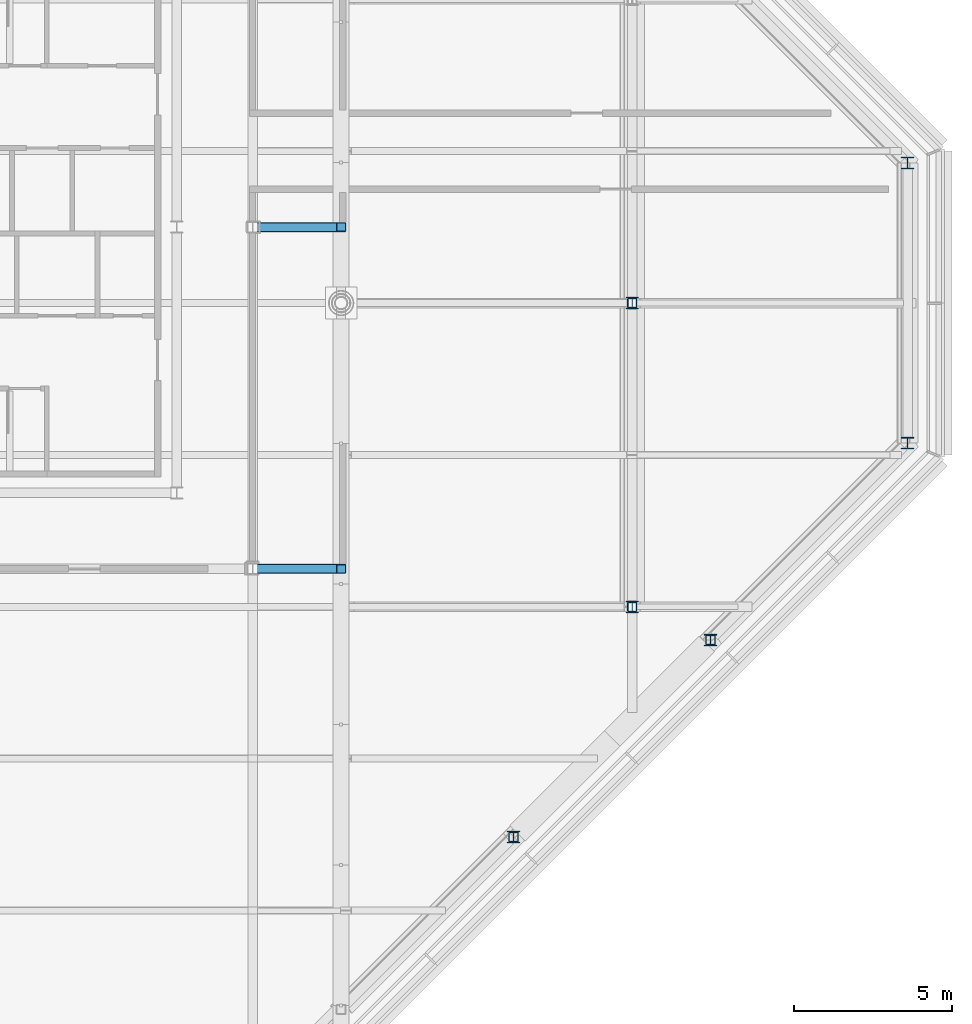
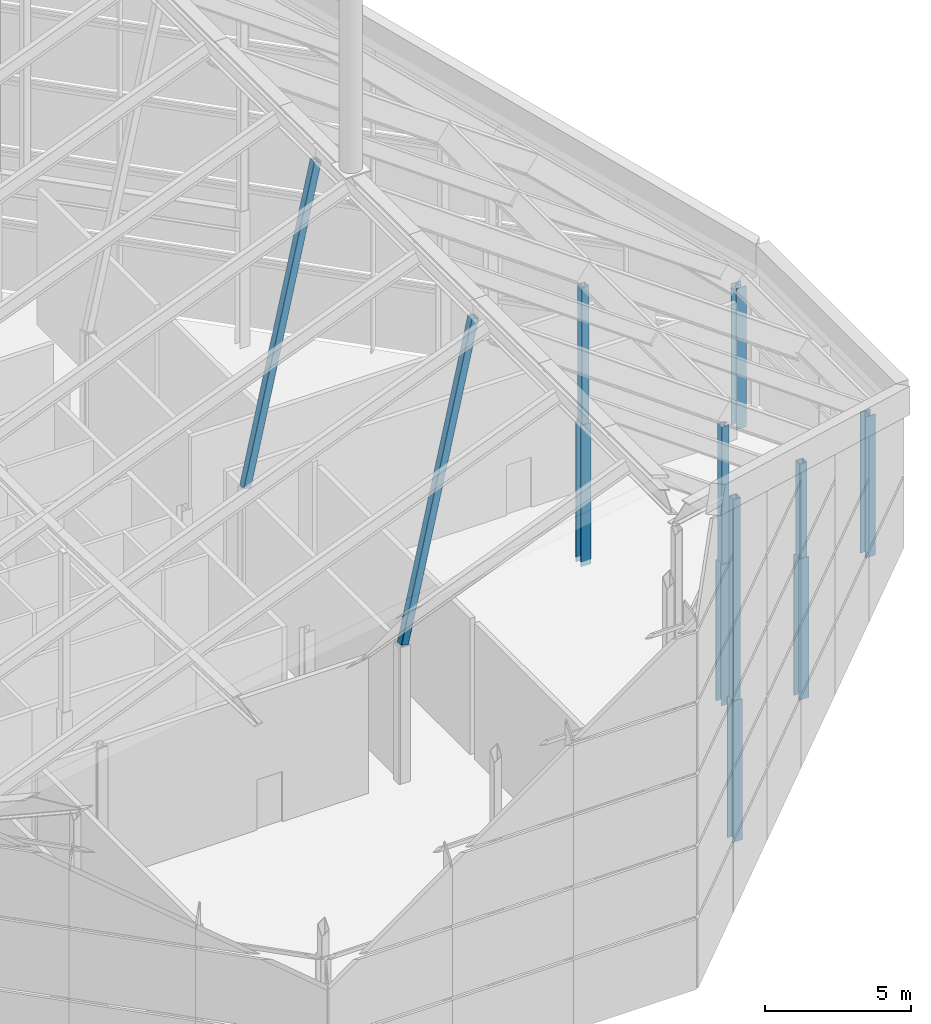
# One storey, part 2 of 21: 12 columns.
"""IFC4 building model written with IfcOpenShell, lengths in metres."""

from ifc_helpers import new_model, si_unit, direction, frame, origin, origin_2d, place, context, subcontext, project, spatial, hollow_rectangle, i_section, extrude, clip, halfspace, material, material_profile, profile_set, type_object, element, save


model = new_model("IFC4")

# Units and contexts
model_context = context("Model", 3, precision=1e-05, world=origin(), true_north=direction((0.0, 1.0)))
body_context = subcontext(model_context, "Body", "Model", "MODEL_VIEW")
ifc_project = project(units=[si_unit("LENGTHUNIT", "METRE"), si_unit("AREAUNIT", "SQUARE_METRE"), si_unit("VOLUMEUNIT", "CUBIC_METRE"), si_unit("PLANEANGLEUNIT", "RADIAN"), si_unit("MASSUNIT", "GRAM", prefix="KILO")], contexts=[model_context])

# Site, building, storey
site_placement = place(None, origin())
site = spatial("IfcSite", under=ifc_project, at=site_placement, CompositionType="ELEMENT")
building_placement = place(site_placement, origin())
building = spatial("IfcBuilding", under=site, at=building_placement, Name="Cairn Pilgrim Tower", CompositionType="ELEMENT")
storey_placement = place(building_placement, frame((0.0, 0.0, 295.800048828125)))
storey = spatial("IfcBuildingStorey", under=building, at=storey_placement, Name="L76", CompositionType="ELEMENT", Elevation=295.800048828125)

# Columns
ifc_material_1 = material(Name="Structural steel S460M", Category="steel")
ifc_material_profile_1 = material_profile(ifc_material_1, hollow_rectangle(XDim=0.300048828125, YDim=0.300048828125, WallThickness=0.01611328125, InnerFilletRadius=0.01611328125, OuterFilletRadius=0.02392578125, at=origin_2d()), Name="SHS 300x300x16")
ifc_profile_set_1 = profile_set([ifc_material_profile_1], Name="Structural steel S460M")
column_type_1 = type_object("IfcColumnType", Name="CROWN POST RHS 300x300x16", PredefinedType="COLUMN", material=ifc_profile_set_1)
column_1_placement = place(storey_placement, frame((27.451416015625, -16.875732421875, 5.699951171875), z_axis=(0.0, 0.0, 1.0), x_axis=(1.0, 0.0, 0.0)))
element("IfcColumn", 1, at=column_1_placement, inside=storey, type_object=column_type_1, Name="CROWN POST", PredefinedType="COLUMN", context=body_context, shape_type="SweptSolid", body=[
    extrude(hollow_rectangle(XDim=0.300048828125, YDim=0.300048828125, WallThickness=0.01611328125, InnerFilletRadius=0.01611328125, OuterFilletRadius=0.02392578125, at=origin_2d()), origin(), (0.0, 0.0, 1.0), 8.407958984375),
])
column_2_placement = place(storey_placement, frame((33.67578125, -10.651611328125, 5.699951171875), z_axis=(0.0, 0.0, 1.0), x_axis=(1.0, 0.0, 0.0)))
element("IfcColumn", 2, at=column_2_placement, inside=storey, type_object=column_type_1, Name="CROWN POST", PredefinedType="COLUMN", context=body_context, shape_type="SweptSolid", body=[
    extrude(hollow_rectangle(XDim=0.300048828125, YDim=0.300048828125, WallThickness=0.01611328125, InnerFilletRadius=0.01611328125, OuterFilletRadius=0.02392578125, at=origin_2d()), origin(), (0.0, 0.0, 1.0), 3.9384765625),
])
for number, where, z_axis, x_axis, name in (
    (3, (31.199951171875, -9.60009765625, 5.699951171875), (0.0, 0.0, 1.0), (1.0, 0.0, 0.0), "CROWN POST"),
    (4, (31.199951171875, 0.0, 5.699951171875), (0.0, 0.0, 1.0), (1.0, 0.0, 0.0), "CROWN POST"),
):
    element("IfcColumn", number, at=place(storey_placement, frame(where, z_axis=z_axis, x_axis=x_axis)), inside=storey, type_object=column_type_1, Name=name, PredefinedType="COLUMN", context=body_context, shape_type="SweptSolid", body=[
        extrude(hollow_rectangle(XDim=0.300048828125, YDim=0.300048828125, WallThickness=0.01611328125, InnerFilletRadius=0.01611328125, OuterFilletRadius=0.02392578125, at=origin_2d()), origin(), (0.0, 0.0, 1.0), 5.71630859375),
    ])
for number, where, z_axis, x_axis, name in (
    (5, (19.199951171875, -8.39990234375, 5.699951171875), (0.214971196898, 0.0, 0.97662038915), (0.0, 1.0, 0.0), "CROWN POST"),
    (6, (19.199951171875, 2.39990234375, 5.699951171875), (0.214971196898, 0.0, 0.97662038915), (0.0, 1.0, 0.0), "CROWN POST"),
):
    element("IfcColumn", number, at=place(storey_placement, frame(where, z_axis=z_axis, x_axis=x_axis)), inside=storey, type_object=column_type_1, Name=name, PredefinedType="COLUMN", context=body_context, shape_type="Clipping", body=[
        clip(extrude(hollow_rectangle(XDim=0.300048828125, YDim=0.300048828125, WallThickness=0.01611328125, InnerFilletRadius=0.01611328125, OuterFilletRadius=0.02392578125, at=origin_2d()), origin(), (0.0, 0.0, 1.0), 13.025146484375), halfspace(frame((0.0, 0.0, 0.032470703125), z_axis=(0.0, 0.0, 1.0), x_axis=(1.0, 0.0, 0.0)), True)),
    ])
ifc_material_2 = material(Name="Structural steel S355J2", Category="steel")
ifc_material_profile_2 = material_profile(ifc_material_2, i_section(OverallWidth=0.39111328125, OverallDepth=0.367919921875, WebThickness=0.014892578125, FlangeThickness=0.02392578125, FilletRadius=0.014892578125, at=origin_2d()), Name="HD 400x187")
ifc_profile_set_2 = profile_set([ifc_material_profile_2], Name="Structural steel S355J2")
column_type_2 = type_object("IfcColumnType", Name="HD 400x187", PredefinedType="COLUMN", material=ifc_profile_set_2)
for number, where, z_axis, x_axis, name in (
    (7, (27.451416015625, -16.875732421875, -0.199951171875), (0.0, 0.0, 1.0), (1.0, 0.0, 0.0), "PC4-SE2"),
    (8, (33.67578125, -10.651611328125, -0.199951171875), (0.0, 0.0, 1.0), (1.0, 0.0, 0.0), "PC4-SE3"),
    (9, (39.89990234375, -4.42724609375, -0.199951171875), (0.0, 0.0, 1.0), (1.0, 0.0, 0.0), "PC4-E1"),
    (10, (39.89990234375, 4.42724609375, -0.199951171875), (0.0, 0.0, 1.0), (1.0, 0.0, 0.0), "PC4-NE1"),
):
    element("IfcColumn", number, at=place(storey_placement, frame(where, z_axis=z_axis, x_axis=x_axis)), inside=storey, type_object=column_type_2, Name=name, PredefinedType="COLUMN", context=body_context, shape_type="SweptSolid", body=[
        extrude(i_section(OverallWidth=0.39111328125, OverallDepth=0.367919921875, WebThickness=0.014892578125, FlangeThickness=0.02392578125, FilletRadius=0.014892578125, at=origin_2d()), origin(), (0.0, 0.0, 1.0), 5.89990234375),
    ])
ifc_material_profile_3 = material_profile(ifc_material_2, i_section(OverallWidth=0.39404296875, OverallDepth=0.375, WebThickness=0.017333984375, FlangeThickness=0.027587890625, FilletRadius=0.014892578125, at=origin_2d()), Name="HD 400x216")
ifc_profile_set_3 = profile_set([ifc_material_profile_3], Name="Structural steel S355J2")
column_type_3 = type_object("IfcColumnType", Name="HD 400x216", PredefinedType="COLUMN", material=ifc_profile_set_3)
for number, where, z_axis, x_axis, name in (
    (11, (31.199951171875, -9.60009765625, -0.199951171875), (0.0, 0.0, 1.0), (1.0, 0.0, 0.0), "WC-WE-2"),
    (12, (31.199951171875, 0.0, -0.199951171875), (0.0, 0.0, 1.0), (1.0, 0.0, 0.0), "WC-WE+0"),
):
    element("IfcColumn", number, at=place(storey_placement, frame(where, z_axis=z_axis, x_axis=x_axis)), inside=storey, type_object=column_type_3, Name=name, PredefinedType="COLUMN", context=body_context, shape_type="SweptSolid", body=[
        extrude(i_section(OverallWidth=0.39404296875, OverallDepth=0.375, WebThickness=0.017333984375, FlangeThickness=0.027587890625, FilletRadius=0.014892578125, at=origin_2d()), origin(), (0.0, 0.0, 1.0), 5.89990234375),
    ])

save(model, "model.ifc")
